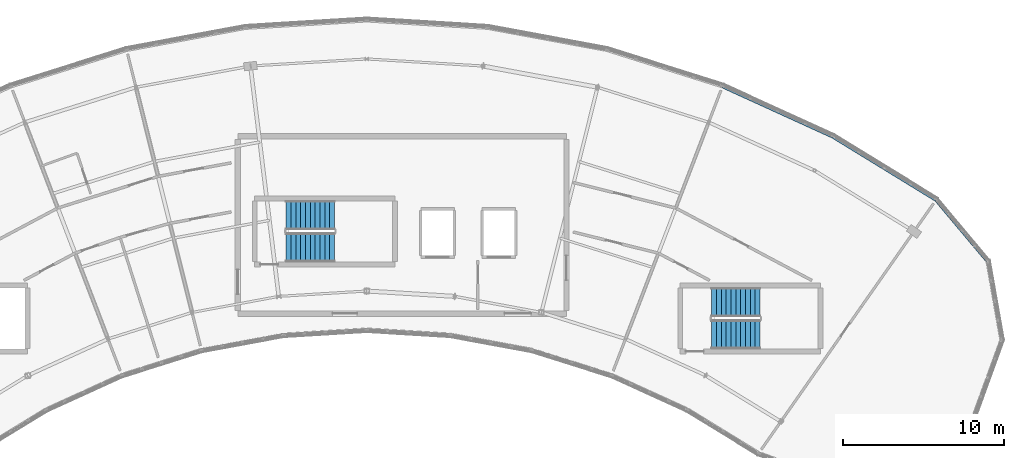
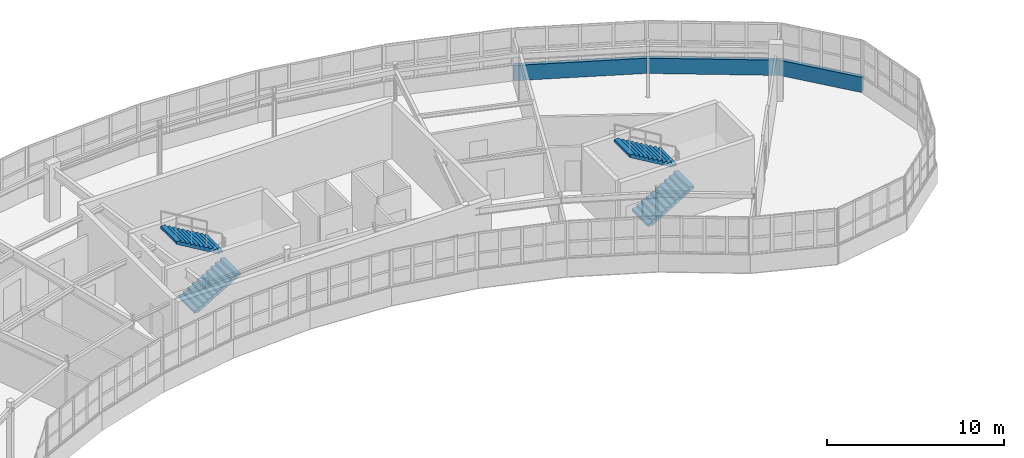
# One storey, part 57 of 60: 4 stair flights, 3 walls, 2 elements without a shape of their own.
"""IFC4 building model written with IfcOpenShell, lengths in metres."""

from ifc_helpers import new_model, si_unit, direction, frame, frame_2d, origin, place, context, subcontext, project, spatial, polyline, rectangle, outline, extrude, material, layer, layer_set, type_object, element, aggregate, save


model = new_model("IFC4")

# Units and contexts
model_context = context("Model", 3, precision=1e-05, world=origin(), true_north=direction((0.0, 1.0)))
body_context = subcontext(model_context, "Body", "Model", "MODEL_VIEW")
ifc_project = project(units=[si_unit("LENGTHUNIT", "METRE"), si_unit("AREAUNIT", "SQUARE_METRE"), si_unit("VOLUMEUNIT", "CUBIC_METRE"), si_unit("PLANEANGLEUNIT", "RADIAN"), si_unit("MASSUNIT", "GRAM", prefix="KILO")], contexts=[model_context])

# Site, building, storey
site_placement = place(None, origin())
site = spatial("IfcSite", under=ifc_project, at=site_placement, CompositionType="ELEMENT")
building_placement = place(site_placement, origin())
building = spatial("IfcBuilding", under=site, at=building_placement, Name="Tarnwether General Hospital", CompositionType="ELEMENT")
storey_placement = place(building_placement, frame((0.0, 0.0, 26.10009765625)))
storey = spatial("IfcBuildingStorey", under=building, at=storey_placement, Name="L06", CompositionType="ELEMENT", Elevation=26.10009765625)

# Walls
ifc_material_1 = material(Name="Streamlined white enamelled aluminium", Category="aluminium")
ifc_layer = layer(ifc_material_1, 0.219970703125)
ifc_layer_set = layer_set([ifc_layer], Name="Streamlined white enamelled aluminium")
wall_type = type_object("IfcWallType", Name="WL-EX220", PredefinedType="STANDARD", material=ifc_layer_set)
wall_1_placement = place(storey_placement, frame((127.33203125, 113.4599609375, 0.0), z_axis=(0.0, 0.0, 1.0), x_axis=(0.642871763415, -0.765973821879, 0.0)))
element("IfcWall", 1, at=wall_1_placement, inside=storey, type_object=wall_type, Name="Ward NW Streamlined White Spandrel EW-L06-0117", PredefinedType="STANDARD", context=body_context, shape_type="SweptSolid", body=[
    extrude(rectangle(XDim=4.969970703125, YDim=0.219970703125, at=frame_2d((2.48486328125, 0.0))), origin(), (0.0, 0.0, 1.0), 1.0498046875),
])
wall_2_placement = place(storey_placement, frame((120.9189453125, 117.389892578125, 0.0), z_axis=(0.0, 0.0, 1.0), x_axis=(0.852640903338, -0.522497358803, 0.0)))
element("IfcWall", 2, at=wall_2_placement, inside=storey, type_object=wall_type, Name="Ward NW Streamlined White Spandrel EW-L06-0118", PredefinedType="STANDARD", context=body_context, shape_type="SweptSolid", body=[
    extrude(rectangle(XDim=7.521484375, YDim=0.219970703125, at=frame_2d((3.7607421875, 0.0))), origin(), (0.0, 0.0, 1.0), 1.0498046875),
])
wall_3_placement = place(storey_placement, frame((114.074951171875, 120.509033203125, 0.0), z_axis=(0.0, 0.0, 1.0), x_axis=(0.909953604353, -0.414710064895, 0.0)))
element("IfcWall", 3, at=wall_3_placement, inside=storey, type_object=wall_type, Name="Ward NW Streamlined White Spandrel EW-L06-0119", PredefinedType="STANDARD", context=body_context, shape_type="SweptSolid", body=[
    extrude(rectangle(XDim=7.521240234375, YDim=0.219970703125, at=frame_2d((3.7607421875, 0.0))), origin(), (0.0, 0.0, 1.0), 1.0498046875),
])

# Stair, stair flights
ifc_material_2 = material(Name="Concrete 40 MPa", Category="concrete")
stair_type_1 = type_object("IfcStairType", Name="ST-DL39A", PredefinedType="HALF_TURN_STAIR", material=ifc_material_2)
stair_1_placement = place(storey_placement, origin())
stair_1 = element("IfcStair", 4, at=stair_1_placement, inside=storey, type_object=stair_type_1, Name="L06 Exit Stair ST-01", PredefinedType="HALF_TURN_STAIR")
ifc_material_3 = material(Name="Concrete 40 MPa", Category="concrete")
stair_flight_type_1 = type_object("IfcStairFlightType", Name="SF-39A", PredefinedType="STRAIGHT", material=ifc_material_3)
stair_flight_1_placement = place(storey_placement, frame((87.0, 110.5, 0.0), z_axis=(0.0, 0.0, 1.0), x_axis=(1.0, 0.0, 0.0)))
stair_flight_1 = element("IfcStairFlight", 5, at=stair_flight_1_placement, type_object=stair_flight_type_1, Name="ST-01 flight 1", NumberOfRisers=11, NumberOfTreads=10, PredefinedType="STRAIGHT", RiserHeight=0.177272727, TreadLength=0.3, context=body_context, shape_type="SweptSolid", body=[
    extrude(outline(polyline([(0.0, 0.0), (0.0, 0.17724609375), (0.300048828125, 0.17724609375), (0.300048828125, 0.3544921875), (0.60009765625, 0.3544921875), (0.60009765625, 0.53173828125), (0.89990234375, 0.53173828125), (0.89990234375, 0.708984375), (1.199951171875, 0.708984375), (1.199951171875, 0.886474609375), (1.5, 0.886474609375), (1.5, 1.063720703125), (1.800048828125, 1.063720703125), (1.800048828125, 1.240966796875), (2.10009765625, 1.240966796875), (2.10009765625, 1.418212890625), (2.39990234375, 1.418212890625), (2.39990234375, 1.595458984375), (2.699951171875, 1.595458984375), (2.699951171875, 1.772705078125), (3.0, 1.772705078125), (3.0, 1.949951171875), (3.0, 1.5986328125), (0.294677734375, 0.0), (0.0, 0.0)])), frame((0.0, 0.89990234375, 0.0), z_axis=(0.0, -1.0, 0.0), x_axis=(1.0, 0.0, 0.0)), (0.0, 0.0, 1.0), 1.800048828125),
])
stair_flight_2_placement = place(storey_placement, frame((90.0, 112.5, 1.949951171875), z_axis=(0.0, 0.0, 1.0), x_axis=(-1.0, 0.0, 0.0)))
stair_flight_2 = element("IfcStairFlight", 6, at=stair_flight_2_placement, type_object=stair_flight_type_1, Name="ST-01 flight 2", NumberOfRisers=11, NumberOfTreads=10, PredefinedType="STRAIGHT", RiserHeight=0.177272727, TreadLength=0.3, context=body_context, shape_type="SweptSolid", body=[
    extrude(outline(polyline([(0.0, 0.0), (0.0, 0.17724609375), (0.300048828125, 0.17724609375), (0.300048828125, 0.3544921875), (0.60009765625, 0.3544921875), (0.60009765625, 0.53173828125), (0.89990234375, 0.53173828125), (0.89990234375, 0.708984375), (1.199951171875, 0.708984375), (1.199951171875, 0.886474609375), (1.5, 0.886474609375), (1.5, 1.063720703125), (1.800048828125, 1.063720703125), (1.800048828125, 1.240966796875), (2.10009765625, 1.240966796875), (2.10009765625, 1.418212890625), (2.39990234375, 1.418212890625), (2.39990234375, 1.595458984375), (2.699951171875, 1.595458984375), (2.699951171875, 1.772705078125), (3.0, 1.772705078125), (3.0, 1.949951171875), (3.0, 1.5986328125), (0.294677734375, 0.0), (0.0, 0.0)])), frame((0.0, 0.89990234375, 0.0), z_axis=(0.0, -1.0, 0.0), x_axis=(1.0, 0.0, 0.0)), (0.0, 0.0, 1.0), 1.800048828125),
])
aggregate(stair_1, [stair_flight_1, stair_flight_2])

ifc_material_4 = material(Name="Concrete 40 MPa", Category="concrete")
stair_type_2 = type_object("IfcStairType", Name="ST-DL39B", PredefinedType="HALF_TURN_STAIR", material=ifc_material_4)
stair_2_placement = place(storey_placement, origin())
stair_2 = element("IfcStair", 7, at=stair_2_placement, inside=storey, type_object=stair_type_2, Name="L06 Exit Stair ST-08", PredefinedType="HALF_TURN_STAIR")
ifc_material_5 = material(Name="Concrete 40 MPa", Category="concrete")
stair_flight_type_2 = type_object("IfcStairFlightType", Name="SF-39B", PredefinedType="STRAIGHT", material=ifc_material_5)
stair_flight_3_placement = place(storey_placement, frame((113.39990234375, 105.10009765625, 0.0), z_axis=(0.0, 0.0, 1.0), x_axis=(1.0, 0.0, 0.0)))
stair_flight_3 = element("IfcStairFlight", 8, at=stair_flight_3_placement, type_object=stair_flight_type_2, Name="ST-08 flight 1", NumberOfRisers=11, NumberOfTreads=10, PredefinedType="STRAIGHT", RiserHeight=0.177272727, TreadLength=0.3, context=body_context, shape_type="SweptSolid", body=[
    extrude(outline(polyline([(0.0, 0.0), (0.0, 0.17724609375), (0.300048828125, 0.17724609375), (0.300048828125, 0.3544921875), (0.60009765625, 0.3544921875), (0.60009765625, 0.53173828125), (0.89990234375, 0.53173828125), (0.89990234375, 0.708984375), (1.199951171875, 0.708984375), (1.199951171875, 0.886474609375), (1.5, 0.886474609375), (1.5, 1.063720703125), (1.800048828125, 1.063720703125), (1.800048828125, 1.240966796875), (2.10009765625, 1.240966796875), (2.10009765625, 1.418212890625), (2.39990234375, 1.418212890625), (2.39990234375, 1.595458984375), (2.699951171875, 1.595458984375), (2.699951171875, 1.772705078125), (3.0, 1.772705078125), (3.0, 1.949951171875), (3.0, 1.5986328125), (0.294677734375, 0.0), (0.0, 0.0)])), frame((0.0, 0.89990234375, 0.0), z_axis=(0.0, -1.0, 0.0), x_axis=(1.0, 0.0, 0.0)), (0.0, 0.0, 1.0), 1.800048828125),
])
stair_flight_4_placement = place(storey_placement, frame((116.39990234375, 107.10009765625, 1.949951171875), z_axis=(0.0, 0.0, 1.0), x_axis=(-1.0, 0.0, 0.0)))
stair_flight_4 = element("IfcStairFlight", 9, at=stair_flight_4_placement, type_object=stair_flight_type_2, Name="ST-08 flight 2", NumberOfRisers=11, NumberOfTreads=10, PredefinedType="STRAIGHT", RiserHeight=0.177272727, TreadLength=0.3, context=body_context, shape_type="SweptSolid", body=[
    extrude(outline(polyline([(0.0, 0.0), (0.0, 0.17724609375), (0.300048828125, 0.17724609375), (0.300048828125, 0.3544921875), (0.60009765625, 0.3544921875), (0.60009765625, 0.53173828125), (0.89990234375, 0.53173828125), (0.89990234375, 0.708984375), (1.199951171875, 0.708984375), (1.199951171875, 0.886474609375), (1.5, 0.886474609375), (1.5, 1.063720703125), (1.800048828125, 1.063720703125), (1.800048828125, 1.240966796875), (2.10009765625, 1.240966796875), (2.10009765625, 1.418212890625), (2.39990234375, 1.418212890625), (2.39990234375, 1.595458984375), (2.699951171875, 1.595458984375), (2.699951171875, 1.772705078125), (3.0, 1.772705078125), (3.0, 1.949951171875), (3.0, 1.5986328125), (0.294677734375, 0.0), (0.0, 0.0)])), frame((0.0, 0.89990234375, 0.0), z_axis=(0.0, -1.0, 0.0), x_axis=(1.0, 0.0, 0.0)), (0.0, 0.0, 1.0), 1.800048828125),
])
aggregate(stair_2, [stair_flight_3, stair_flight_4])

save(model, "model.ifc")
